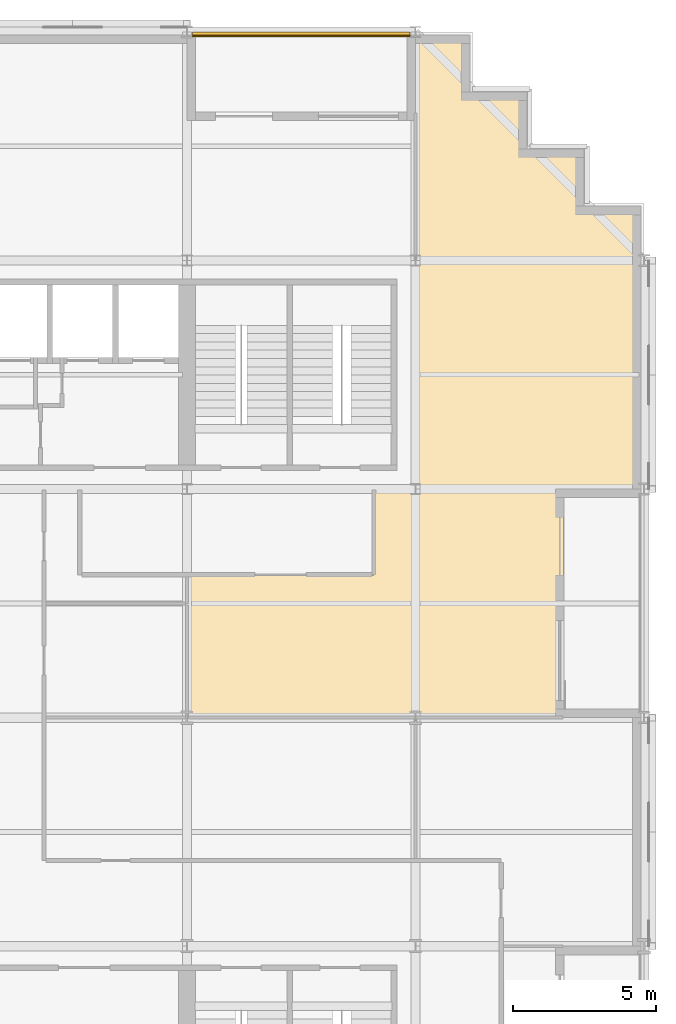
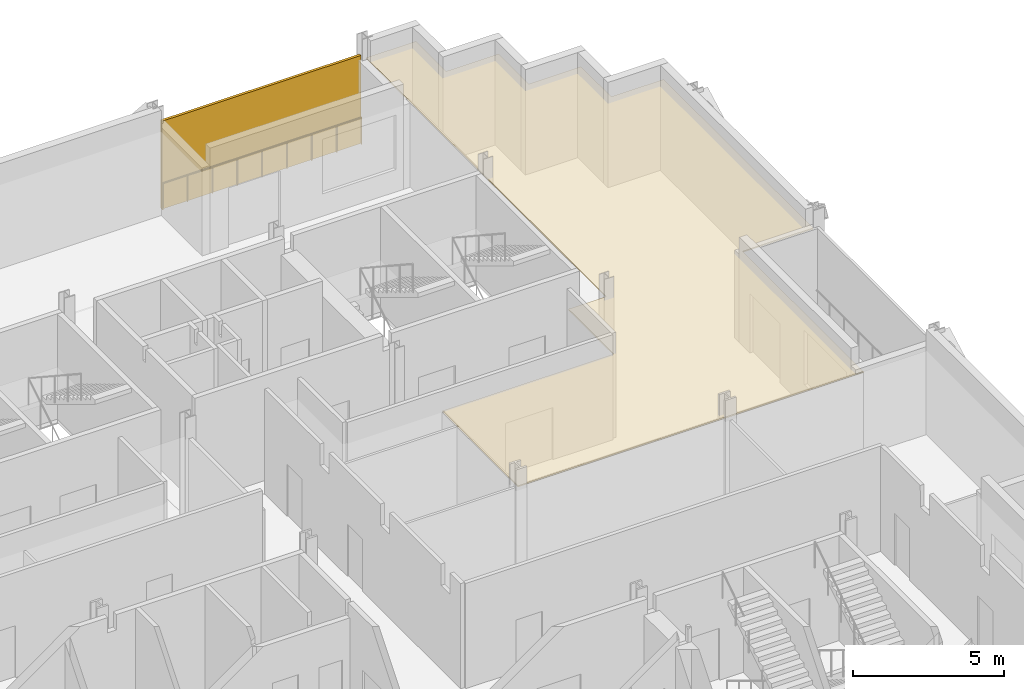
# One storey, part 12 of 12: 1 covering, 1 railing, 1 shading device.
"""IFC4 building model written with IfcOpenShell, lengths in metres."""

from ifc_helpers import new_model, si_unit, direction, frame, origin, origin_2d, place, context, subcontext, project, spatial, polyline, rectangle, circle, outline, extrude, material, layer, layer_set, type_object, element, save


model = new_model("IFC4")

# Units and contexts
model_context = context("Model", 3, precision=1e-05, world=origin(), true_north=direction((0.0, 1.0)))
body_context = subcontext(model_context, "Body", "Model", "MODEL_VIEW")
ifc_project = project(units=[si_unit("LENGTHUNIT", "METRE"), si_unit("AREAUNIT", "SQUARE_METRE"), si_unit("VOLUMEUNIT", "CUBIC_METRE"), si_unit("PLANEANGLEUNIT", "RADIAN"), si_unit("MASSUNIT", "GRAM", prefix="KILO")], contexts=[model_context])

# Site, building, storey
site_placement = place(None, origin())
site = spatial("IfcSite", under=ifc_project, at=site_placement, CompositionType="ELEMENT")
building_placement = place(site_placement, origin())
building = spatial("IfcBuilding", under=site, at=building_placement, Name="Immortelle Media Tower", CompositionType="ELEMENT")
storey_placement = place(building_placement, frame((0.0, 0.0, 52.39990234375)))
storey = spatial("IfcBuildingStorey", under=building, at=storey_placement, Name="L08", CompositionType="ELEMENT", Elevation=52.39990234375)

# Railing
ifc_material_1 = material(Name="Powder-coated aluminium fretwork panel, laminated glass backing", Category="aluminium")
railing_type = type_object("IfcRailingType", Name="Fretwork balustrade 1100", PredefinedType="BALUSTRADE", material=ifc_material_1)
railing_placement = place(storey_placement, frame((39.800537109375, 47.860107421875, 0.0)))
element("IfcRailing", 1, at=railing_placement, inside=storey, type_object=railing_type, Name="Fretwork balustrade L08 N0", PredefinedType="BALUSTRADE", context=body_context, shape_type="SweptSolid", body=[
    extrude(circle(Radius=0.02490234375, at=origin_2d()), frame((0.0, 0.0, 1.0751953125), z_axis=(-1.0, 0.0, 0.0), x_axis=(0.0, -1.0, 0.0)), (0.0, 0.0, 1.0), 7.59765625),
    extrude(circle(Radius=0.02001953125, at=origin_2d()), origin(), (0.0, 0.0, 1.0), 1.050048828125),
    extrude(circle(Radius=0.02001953125, at=origin_2d()), frame((-0.94970703125, 0.0, 0.0)), (0.0, 0.0, 1.0), 1.050048828125),
    extrude(circle(Radius=0.02001953125, at=origin_2d()), frame((-1.8994140625, 0.0, 0.0)), (0.0, 0.0, 1.0), 1.050048828125),
    extrude(circle(Radius=0.02001953125, at=origin_2d()), frame((-2.84912109375, 0.0, 0.0)), (0.0, 0.0, 1.0), 1.050048828125),
    extrude(circle(Radius=0.02001953125, at=origin_2d()), frame((-3.798828125, 0.0, 0.0)), (0.0, 0.0, 1.0), 1.050048828125),
    extrude(circle(Radius=0.02001953125, at=origin_2d()), frame((-4.74853515625, 0.0, 0.0)), (0.0, 0.0, 1.0), 1.050048828125),
    extrude(circle(Radius=0.02001953125, at=origin_2d()), frame((-5.6982421875, 0.0, 0.0)), (0.0, 0.0, 1.0), 1.050048828125),
    extrude(circle(Radius=0.02001953125, at=origin_2d()), frame((-6.64794921875, 0.0, 0.0)), (0.0, 0.0, 1.0), 1.050048828125),
    extrude(circle(Radius=0.02001953125, at=origin_2d()), frame((-7.59765625, 0.0, 0.0)), (0.0, 0.0, 1.0), 1.050048828125),
])

# Shading device
ifc_material_2 = material(Name="Pale aluminium louvre blades", Category="aluminium")
ifc_layer_1 = layer(ifc_material_2, 0.10009765625)
ifc_layer_set_1 = layer_set([ifc_layer_1], Name="Pale aluminium louvre blades")
shading_device_type = type_object("IfcShadingDeviceType", Name="Jalousie screen 100", PredefinedType="JALOUSIE", material=ifc_layer_set_1)
shading_device_placement = place(storey_placement, frame((36.001708984375, 47.949951171875, 0.0), z_axis=(0.0, 0.0, 1.0), x_axis=(-1.0, 0.0, 0.0)))
element("IfcShadingDevice", 2, at=shading_device_placement, inside=storey, type_object=shading_device_type, Name="Jalousie screen L08 N0", PredefinedType="JALOUSIE", context=body_context, shape_type="SweptSolid", body=[
    extrude(rectangle(XDim=7.597412109375, YDim=0.10009765625, at=origin_2d()), origin(), (0.0, 0.0, 1.0), 3.553955078125),
])

# Covering
ifc_material_3 = material(Name="Mineral fibre tile ceiling")
ifc_layer_2 = layer(ifc_material_3, 0.050048828125)
ifc_layer_set_2 = layer_set([ifc_layer_2], Name="Mineral fibre tile ceiling")
covering_type = type_object("IfcCoveringType", Name="Suspended ceiling 50", PredefinedType="CEILING", material=ifc_layer_set_2)
covering_placement = place(storey_placement, frame((0.0, 0.0, 3.341064453125)))
element("IfcCovering", 3, at=covering_placement, inside=storey, type_object=covering_type, Name="Ceiling L08-018", PredefinedType="CEILING", context=body_context, shape_type="SweptSolid", body=[
    extrude(outline(polyline([(38.550048828125, 32.0), (40.0, 32.0), (40.0, 40.0), (40.0, 45.199951171875), (40.0, 47.89990234375), (41.89990234375, 47.89990234375), (41.89990234375, 45.89990234375), (43.89990234375, 45.89990234375), (43.89990234375, 43.89990234375), (45.89990234375, 43.89990234375), (45.89990234375, 41.89990234375), (47.89990234375, 41.89990234375), (47.89990234375, 40.0), (47.89990234375, 32.0), (45.199951171875, 32.0), (45.199951171875, 24.0), (40.0, 24.0), (32.0, 24.0), (32.0, 29.0), (38.550048828125, 29.0), (38.550048828125, 32.0)])), origin(), (0.0, 0.0, 1.0), 0.050048828125),
])

save(model, "model.ifc")
